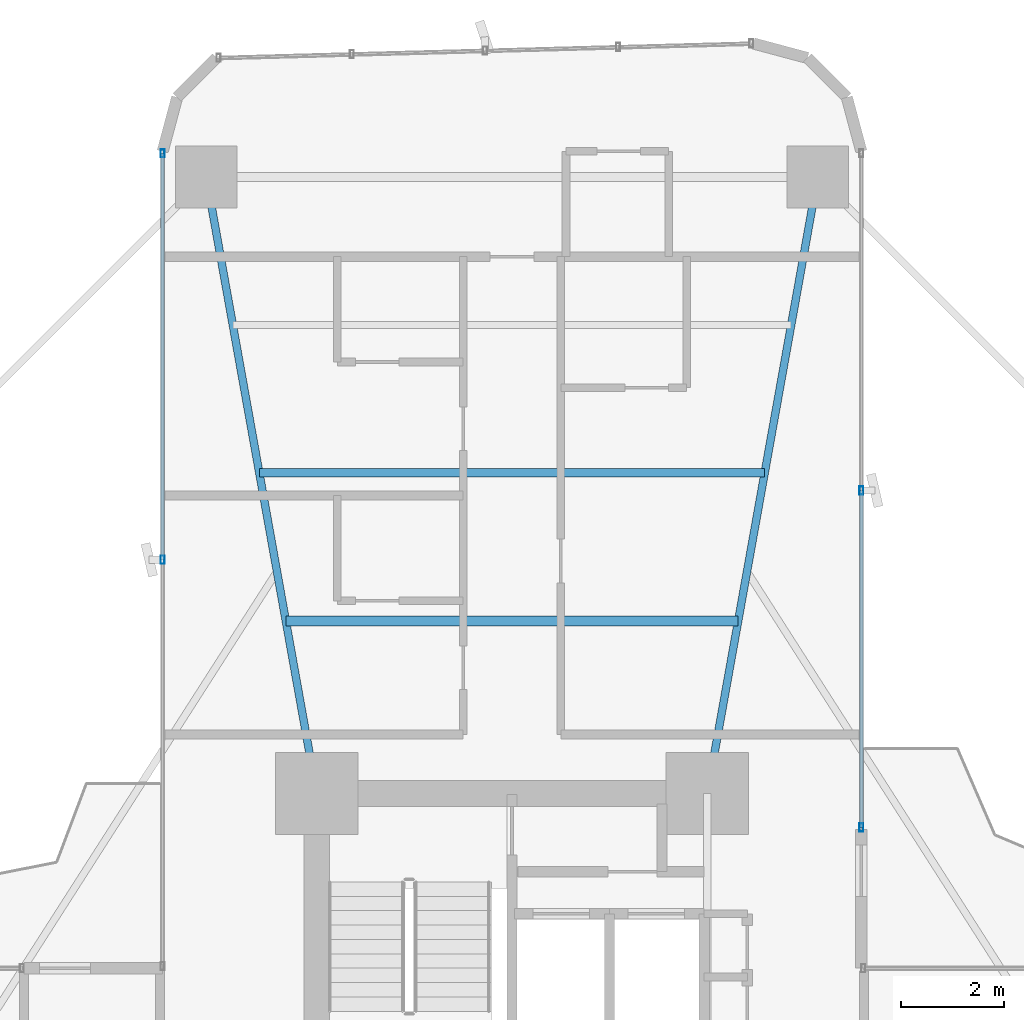
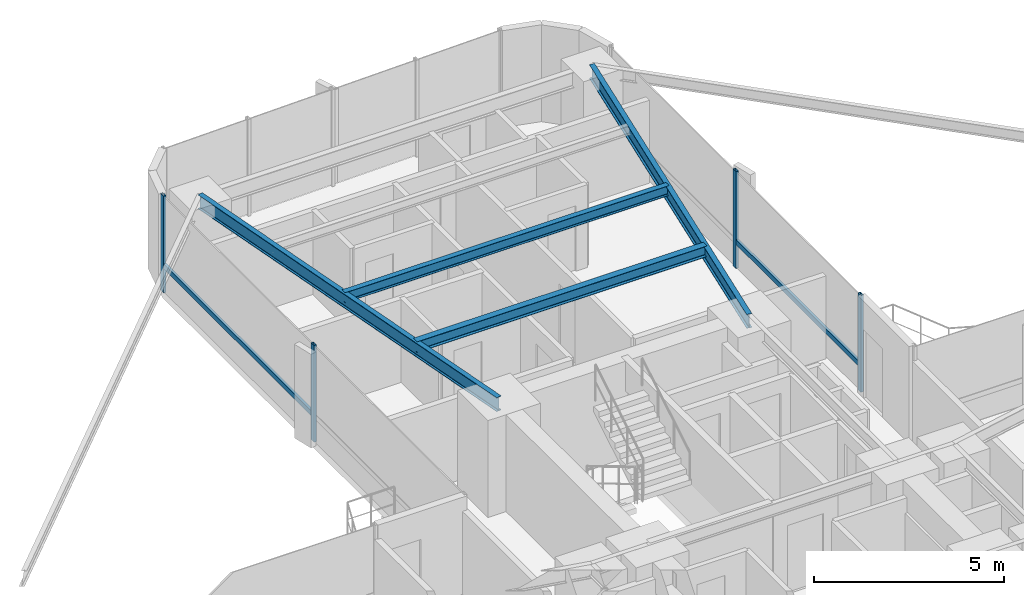
# One storey, part 18 of 26: 6 members, 4 beams, 2 elements without a shape of their own.
"""IFC4 building model written with IfcOpenShell, lengths in metres."""

from ifc_helpers import new_model, si_unit, direction, frame, origin, origin_2d, place, context, subcontext, project, spatial, hollow_rectangle, i_section, extrude, source, transform, mapped, material, material_profile, profile_set, type_object, element, aggregate, save


model = new_model("IFC4")

# Units and contexts
model_context = context("Model", 3, precision=1e-05, world=origin(), true_north=direction((0.0, 1.0)))
body_context = subcontext(model_context, "Body", "Model", "MODEL_VIEW")
ifc_project = project(units=[si_unit("LENGTHUNIT", "METRE"), si_unit("AREAUNIT", "SQUARE_METRE"), si_unit("VOLUMEUNIT", "CUBIC_METRE"), si_unit("PLANEANGLEUNIT", "RADIAN"), si_unit("MASSUNIT", "GRAM", prefix="KILO")], contexts=[model_context])

# Site, building, storey
site_placement = place(None, origin())
site = spatial("IfcSite", under=ifc_project, at=site_placement, CompositionType="ELEMENT")
building_placement = place(site_placement, origin())
building = spatial("IfcBuilding", under=site, at=building_placement, Name="Sahyath Konkavel Grand Hotel", CompositionType="ELEMENT")
storey_placement = place(building_placement, frame((0.0, 0.0, 29.800048828125)))
storey = spatial("IfcBuildingStorey", under=building, at=storey_placement, Name="L07", CompositionType="ELEMENT", Elevation=29.800048828125)

# Beams
ifc_material_1 = material(Name="Steel E350", Category="steel")
ifc_material_profile_1 = material_profile(ifc_material_1, i_section(OverallWidth=0.14990234375, OverallDepth=0.449951171875, WebThickness=0.009521484375, FlangeThickness=0.017333984375, FilletRadius=0.014892578125, at=origin_2d()), Name="ISMB 450")
ifc_profile_set_1 = profile_set([ifc_material_profile_1], Name="Steel E350")
beam_type_1 = type_object("IfcBeamType", Name="BM-ISMB450", PredefinedType="BEAM", material=ifc_profile_set_1)
shared_shape_1 = source(origin(), body_context, "Body", "SweptSolid", [
    extrude(i_section(OverallWidth=0.14990234375, OverallDepth=0.449951171875, WebThickness=0.009521484375, FlangeThickness=0.017333984375, FilletRadius=0.014892578125, at=origin_2d()), origin(), (0.0, 0.0, 1.0), 12.191162109375),
])
for number, where, z_axis, x_axis, name in (
    (1, (3.800048828125, 10.199951171875, 2.885009765625), (0.176350650305, 0.984327409014, 0.0), (-0.984327409014, 0.176350650305, 0.0), "L07 Cruciform Radial Girder NA"),
    (2, (-3.800048828125, 10.199951171875, 2.885009765625), (-0.176350650305, 0.984327409014, 0.0), (-0.984327409014, -0.176350650305, 0.0), "L07 Cruciform Radial Girder NB"),
):
    element("IfcBeam", number, at=place(storey_placement, frame(where, z_axis=z_axis, x_axis=x_axis)), inside=storey, type_object=beam_type_1, Name=name, PredefinedType="BEAM", context=body_context, shape_type="MappedRepresentation", body=[
        mapped(shared_shape_1, transform((0.0, 0.0, 0.0), scale=1.0)),
    ])
ifc_material_profile_2 = material_profile(ifc_material_1, i_section(OverallWidth=0.199951171875, OverallDepth=0.35009765625, WebThickness=0.008056640625, FlangeThickness=0.011474609375, FilletRadius=0.013916015625, at=origin_2d()), Name="ISWB 350")
ifc_profile_set_2 = profile_set([ifc_material_profile_2], Name="Steel E350")
beam_type_2 = type_object("IfcBeamType", Name="BM-ISWB350", PredefinedType="BEAM", material=ifc_profile_set_2)
shared_shape_2 = source(origin(), body_context, "Body", "SweptSolid", [
    extrude(i_section(OverallWidth=0.199951171875, OverallDepth=0.35009765625, WebThickness=0.008056640625, FlangeThickness=0.011474609375, FilletRadius=0.013916015625, at=origin_2d()), origin(), (0.0, 0.0, 1.0), 8.80419921875),
])
beam_1_placement = place(storey_placement, frame((4.402099609375, 13.56005859375, 2.93505859375), z_axis=(-1.0, 0.0, 0.0), x_axis=(0.0, -1.0, 0.0)))
element("IfcBeam", 3, at=beam_1_placement, inside=storey, type_object=beam_type_2, Name="L07 Secondary Floor Beam N-1", PredefinedType="BEAM", context=body_context, shape_type="MappedRepresentation", body=[
    mapped(shared_shape_2, transform((0.0, 0.0, 0.0), scale=1.0)),
])
ifc_material_profile_3 = material_profile(ifc_material_1, i_section(OverallWidth=0.1650390625, OverallDepth=0.324951171875, WebThickness=0.007080078125, FlangeThickness=0.009765625, FilletRadius=0.014892578125, at=origin_2d()), Name="ISLB 325")
ifc_profile_set_3 = profile_set([ifc_material_profile_3], Name="Steel E350")
beam_type_3 = type_object("IfcBeamType", Name="BM-ISLB325", PredefinedType="BEAM", material=ifc_profile_set_3)
shared_shape_3 = source(origin(), body_context, "Body", "SweptSolid", [
    extrude(i_section(OverallWidth=0.1650390625, OverallDepth=0.324951171875, WebThickness=0.007080078125, FlangeThickness=0.009765625, FilletRadius=0.014892578125, at=origin_2d()), origin(), (0.0, 0.0, 1.0), 9.8359375),
])
beam_2_placement = place(storey_placement, frame((4.91796875, 16.43994140625, 2.947509765625), z_axis=(-1.0, 0.0, 0.0), x_axis=(0.0, -1.0, 0.0)))
element("IfcBeam", 4, at=beam_2_placement, inside=storey, type_object=beam_type_3, Name="L07 Secondary Floor Beam N-2", PredefinedType="BEAM", context=body_context, shape_type="MappedRepresentation", body=[
    mapped(shared_shape_3, transform((0.0, 0.0, 0.0), scale=1.0)),
])

# Curtain wall, members
ifc_material_2 = material(Name="Anodised Bronze Aluminium & Low-E Glazing", Category="aluminium")
curtain_wall_type = type_object("IfcCurtainWallType", Name="CW-ZONE1", PredefinedType="NOTDEFINED", material=ifc_material_2)
curtain_wall_1_placement = place(storey_placement, origin())
curtain_wall_1 = element("IfcCurtainWall", 5, at=curtain_wall_1_placement, inside=storey, type_object=curtain_wall_type, Name="L07 Unitised Curtain Wall F8", PredefinedType="NOTDEFINED")
ifc_material_3 = material(Name="Anodised Bronze Aluminium", Category="aluminium")
ifc_material_profile_4 = material_profile(ifc_material_3, hollow_rectangle(XDim=0.080078125, YDim=0.159912109375, WallThickness=0.006103515625, at=origin_2d()), Name="RHS 160x80x6")
ifc_profile_set_4 = profile_set([ifc_material_profile_4], Name="Anodised Bronze Aluminium")
member_type_1 = type_object("IfcMemberType", Name="CW-MUL-160", PredefinedType="MULLION", material=ifc_profile_set_4)
shared_shape_4 = source(origin(), body_context, "Body", "SweptSolid", [
    extrude(hollow_rectangle(XDim=0.080078125, YDim=0.159912109375, WallThickness=0.006103515625, at=origin_2d()), origin(), (0.0, 0.0, 1.0), 3.10986328125),
])
member_1_placement = place(storey_placement, frame((6.800048828125, 9.5400390625, 0.0), z_axis=(0.0, 0.0, 1.0), x_axis=(1.0, 0.0, 0.0)))
member_1 = element("IfcMember", 6, at=member_1_placement, type_object=member_type_1, Name="L07 Curtain Wall Mullion F8-0", PredefinedType="MULLION", context=body_context, shape_type="MappedRepresentation", body=[
    mapped(shared_shape_4, transform((0.0, 0.0, 0.0), scale=1.0)),
])
member_2_placement = place(storey_placement, frame((6.800048828125, 16.10009765625, 0.0), z_axis=(0.0, 0.0, 1.0), x_axis=(1.0, 0.0, 0.0)))
member_2 = element("IfcMember", 7, at=member_2_placement, type_object=member_type_1, Name="L07 Curtain Wall Mullion F8-1", PredefinedType="MULLION", context=body_context, shape_type="MappedRepresentation", body=[
    mapped(shared_shape_4, transform((0.0, 0.0, 0.0), scale=1.0)),
])

curtain_wall_2_placement = place(storey_placement, origin())
curtain_wall_2 = element("IfcCurtainWall", 8, at=curtain_wall_2_placement, inside=storey, type_object=curtain_wall_type, Name="L07 Unitised Curtain Wall F15", PredefinedType="NOTDEFINED")
member_3_placement = place(storey_placement, frame((-6.800048828125, 22.659912109375, 0.0), z_axis=(0.0, 0.0, 1.0), x_axis=(1.0, 0.0, 0.0)))
member_3 = element("IfcMember", 9, at=member_3_placement, type_object=member_type_1, Name="L07 Curtain Wall Mullion F15-0", PredefinedType="MULLION", context=body_context, shape_type="MappedRepresentation", body=[
    mapped(shared_shape_4, transform((0.0, 0.0, 0.0), scale=1.0)),
])
member_4_placement = place(storey_placement, frame((-6.800048828125, 14.75, 0.0), z_axis=(0.0, 0.0, 1.0), x_axis=(1.0, 0.0, 0.0)))
member_4 = element("IfcMember", 10, at=member_4_placement, type_object=member_type_1, Name="L07 Curtain Wall Mullion F15-1", PredefinedType="MULLION", context=body_context, shape_type="MappedRepresentation", body=[
    mapped(shared_shape_4, transform((0.0, 0.0, 0.0), scale=1.0)),
])
ifc_material_profile_5 = material_profile(ifc_material_3, hollow_rectangle(XDim=0.080078125, YDim=0.159912109375, WallThickness=0.006103515625, at=origin_2d()), Name="RHS 160x80x6")
ifc_profile_set_5 = profile_set([ifc_material_profile_5], Name="Anodised Bronze Aluminium")
member_type_2 = type_object("IfcMemberType", Name="CW-TRN-160", PredefinedType="USERDEFINED", material=ifc_profile_set_5)
shared_shape_5 = source(origin(), body_context, "Body", "SweptSolid", [
    extrude(hollow_rectangle(XDim=0.080078125, YDim=0.159912109375, WallThickness=0.006103515625, at=origin_2d()), origin(), (0.0, 0.0, 1.0), 7.909912109375),
])
member_5_placement = place(storey_placement, frame((-6.800048828125, 22.659912109375, 0.849853515625), z_axis=(0.0, -1.0, 0.0), x_axis=(1.0, 0.0, 0.0)))
member_5 = element("IfcMember", 11, at=member_5_placement, type_object=member_type_2, Name="L07 Curtain Wall Transom F15-0-spandrel", ObjectType="TRANSOM", PredefinedType="USERDEFINED", context=body_context, shape_type="MappedRepresentation", body=[
    mapped(shared_shape_5, transform((0.0, 0.0, 0.0), scale=1.0)),
])
aggregate(curtain_wall_2, [member_3, member_4, member_5])

# Member
shared_shape_6 = source(origin(), body_context, "Body", "SweptSolid", [
    extrude(hollow_rectangle(XDim=0.080078125, YDim=0.159912109375, WallThickness=0.006103515625, at=origin_2d()), origin(), (0.0, 0.0, 1.0), 6.56005859375),
])
member_6_placement = place(storey_placement, frame((6.800048828125, 9.5400390625, 0.849853515625), z_axis=(0.0, 1.0, 0.0), x_axis=(-1.0, 0.0, 0.0)))
member_6 = element("IfcMember", 12, at=member_6_placement, type_object=member_type_2, Name="L07 Curtain Wall Transom F8-0-spandrel", ObjectType="TRANSOM", PredefinedType="USERDEFINED", context=body_context, shape_type="MappedRepresentation", body=[
    mapped(shared_shape_6, transform((0.0, 0.0, 0.0), scale=1.0)),
])

aggregate(curtain_wall_1, [member_1, member_2, member_6])

save(model, "model.ifc")
